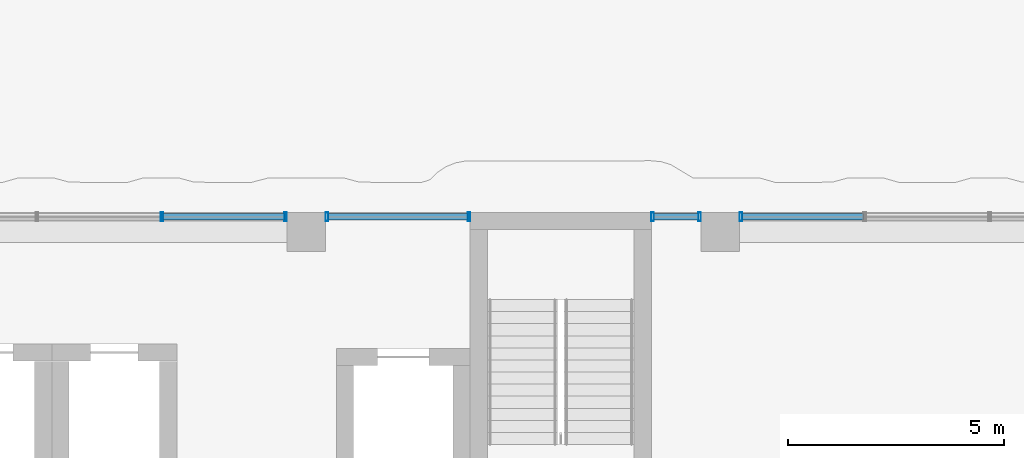
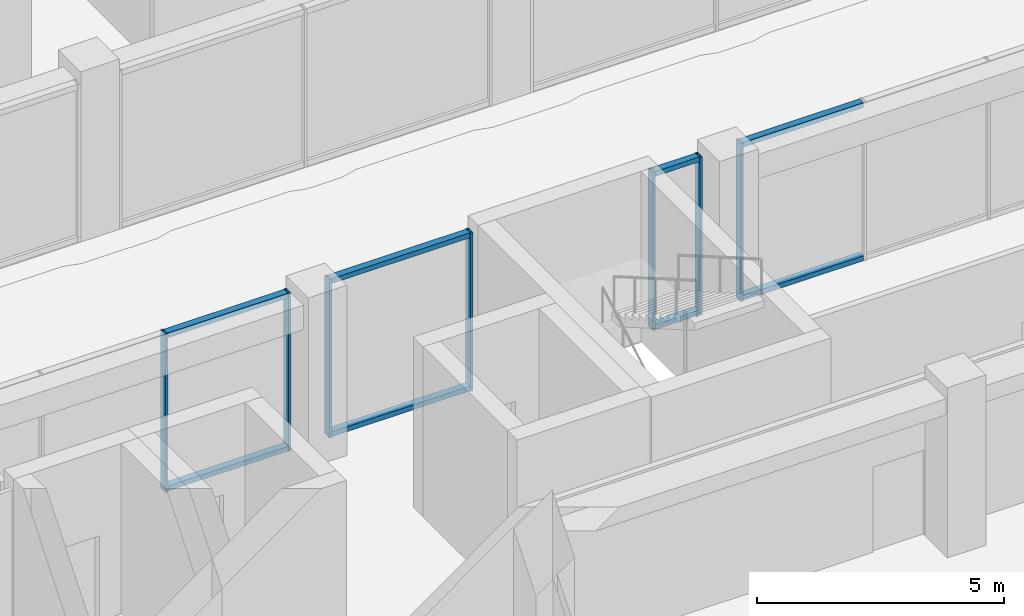
# One storey, part 9 of 72: 15 members, 4 elements without a shape of their own.
"""IFC4 building model written with IfcOpenShell, lengths in metres."""

from ifc_helpers import new_model, si_unit, direction, frame, origin, origin_2d, place, context, subcontext, project, spatial, hollow_rectangle, extrude, material, layer, layer_set, material_profile, profile_set, type_object, element, aggregate, save


model = new_model("IFC4")

# Units and contexts
model_context = context("Model", 3, precision=1e-05, world=origin(), true_north=direction((0.0, 1.0)))
body_context = subcontext(model_context, "Body", "Model", "MODEL_VIEW")
ifc_project = project(units=[si_unit("LENGTHUNIT", "METRE"), si_unit("AREAUNIT", "SQUARE_METRE"), si_unit("VOLUMEUNIT", "CUBIC_METRE"), si_unit("PLANEANGLEUNIT", "RADIAN"), si_unit("MASSUNIT", "GRAM", prefix="KILO")], contexts=[model_context])

# Site, building, storey
site_placement = place(None, origin())
site = spatial("IfcSite", under=ifc_project, at=site_placement, CompositionType="ELEMENT")
building_placement = place(site_placement, origin())
building = spatial("IfcBuilding", under=site, at=building_placement, Name="Nzadi Deep Aquarium and Research Tower", CompositionType="ELEMENT")
storey_placement = place(building_placement, frame((0.0, 0.0, 31.89990234375)))
storey = spatial("IfcBuildingStorey", under=building, at=storey_placement, Name="L05", CompositionType="ELEMENT", Elevation=31.89990234375)

# Curtain wall, members
ifc_material_1 = material(Name="Aluminium unitised frame", Category="aluminium")
ifc_layer = layer(ifc_material_1, 0.199951171875)
ifc_layer_set = layer_set([ifc_layer], Name="Aluminium unitised frame")
curtain_wall_type = type_object("IfcCurtainWallType", Name="Curtain wall Unitised 200", PredefinedType="NOTDEFINED", material=ifc_layer_set)
curtain_wall_1_placement = place(storey_placement, origin())
curtain_wall_1 = element("IfcCurtainWall", 1, at=curtain_wall_1_placement, inside=storey, type_object=curtain_wall_type, Name="Unitised curtain wall blade A north L05", PredefinedType="NOTDEFINED")
ifc_material_2 = material(Name="Aluminium unitised frame", Category="aluminium")
ifc_material_profile_1 = material_profile(ifc_material_2, hollow_rectangle(XDim=0.199951171875, YDim=0.06005859375, WallThickness=0.0048828125, at=origin_2d()))
ifc_profile_set_1 = profile_set([ifc_material_profile_1], Name="Aluminium unitised frame")
member_type_1 = type_object("IfcMemberType", Name="Mullion 60x200 Unitised", PredefinedType="MULLION", material=ifc_profile_set_1)
member_1_placement = place(storey_placement, frame((15.85009765625, 18.75, 0.0), z_axis=(0.0, 0.0, 1.0), x_axis=(0.0, 1.0, 0.0)))
member_1 = element("IfcMember", 2, at=member_1_placement, type_object=member_type_1, Name="CW003 mullion 3", PredefinedType="MULLION", context=body_context, shape_type="SweptSolid", body=[
    extrude(hollow_rectangle(XDim=0.199951171875, YDim=0.06005859375, WallThickness=0.0048828125, at=origin_2d()), origin(), (0.0, 0.0, 1.0), 3.900146484375),
])
member_2_placement = place(storey_placement, frame((18.719970703125, 18.75, 0.0), z_axis=(0.0, 0.0, 1.0), x_axis=(0.0, 1.0, 0.0)))
member_2 = element("IfcMember", 3, at=member_2_placement, type_object=member_type_1, Name="CW003 mullion 4", PredefinedType="MULLION", context=body_context, shape_type="SweptSolid", body=[
    extrude(hollow_rectangle(XDim=0.199951171875, YDim=0.06005859375, WallThickness=0.0048828125, at=origin_2d()), origin(), (0.0, 0.0, 1.0), 3.900146484375),
])

curtain_wall_2_placement = place(storey_placement, origin())
curtain_wall_2 = element("IfcCurtainWall", 4, at=curtain_wall_2_placement, inside=storey, type_object=curtain_wall_type, Name="Unitised curtain wall blade A north L05", PredefinedType="NOTDEFINED")
member_3_placement = place(storey_placement, frame((19.679931640625, 18.75, 0.0), z_axis=(0.0, 0.0, 1.0), x_axis=(0.0, 1.0, 0.0)))
member_3 = element("IfcMember", 5, at=member_3_placement, type_object=member_type_1, Name="CW004 mullion 1", PredefinedType="MULLION", context=body_context, shape_type="SweptSolid", body=[
    extrude(hollow_rectangle(XDim=0.199951171875, YDim=0.06005859375, WallThickness=0.0048828125, at=origin_2d()), origin(), (0.0, 0.0, 1.0), 3.900146484375),
])
member_4_placement = place(storey_placement, frame((22.969970703125, 18.75, 0.0), z_axis=(0.0, 0.0, 1.0), x_axis=(0.0, 1.0, 0.0)))
member_4 = element("IfcMember", 6, at=member_4_placement, type_object=member_type_1, Name="CW004 mullion 2", PredefinedType="MULLION", context=body_context, shape_type="SweptSolid", body=[
    extrude(hollow_rectangle(XDim=0.199951171875, YDim=0.06005859375, WallThickness=0.0048828125, at=origin_2d()), origin(), (0.0, 0.0, 1.0), 3.900146484375),
])

curtain_wall_3_placement = place(storey_placement, origin())
curtain_wall_3 = element("IfcCurtainWall", 7, at=curtain_wall_3_placement, inside=storey, type_object=curtain_wall_type, Name="Unitised curtain wall blade A north L05", PredefinedType="NOTDEFINED")
member_5_placement = place(storey_placement, frame((27.22998046875, 18.75, 0.0), z_axis=(0.0, 0.0, 1.0), x_axis=(0.0, 1.0, 0.0)))
member_5 = element("IfcMember", 8, at=member_5_placement, type_object=member_type_1, Name="CW005 mullion 1", PredefinedType="MULLION", context=body_context, shape_type="SweptSolid", body=[
    extrude(hollow_rectangle(XDim=0.199951171875, YDim=0.06005859375, WallThickness=0.0048828125, at=origin_2d()), origin(), (0.0, 0.0, 1.0), 3.900146484375),
])
member_6_placement = place(storey_placement, frame((28.320068359375, 18.75, 0.0), z_axis=(0.0, 0.0, 1.0), x_axis=(0.0, 1.0, 0.0)))
member_6 = element("IfcMember", 9, at=member_6_placement, type_object=member_type_1, Name="CW005 mullion 2", PredefinedType="MULLION", context=body_context, shape_type="SweptSolid", body=[
    extrude(hollow_rectangle(XDim=0.199951171875, YDim=0.06005859375, WallThickness=0.0048828125, at=origin_2d()), origin(), (0.0, 0.0, 1.0), 3.900146484375),
])

# Curtain wall, member
curtain_wall_4_placement = place(storey_placement, origin())
curtain_wall_4 = element("IfcCurtainWall", 10, at=curtain_wall_4_placement, inside=storey, type_object=curtain_wall_type, Name="Unitised curtain wall blade A north L05", PredefinedType="NOTDEFINED")
member_7_placement = place(storey_placement, frame((29.280029296875, 18.75, 0.0), z_axis=(0.0, 0.0, 1.0), x_axis=(0.0, 1.0, 0.0)))
member_7 = element("IfcMember", 11, at=member_7_placement, type_object=member_type_1, Name="CW006 mullion 1", PredefinedType="MULLION", context=body_context, shape_type="SweptSolid", body=[
    extrude(hollow_rectangle(XDim=0.199951171875, YDim=0.06005859375, WallThickness=0.0048828125, at=origin_2d()), origin(), (0.0, 0.0, 1.0), 3.900146484375),
])

# Member
ifc_material_3 = material(Name="Aluminium unitised frame", Category="aluminium")
ifc_material_profile_2 = material_profile(ifc_material_3, hollow_rectangle(XDim=0.159912109375, YDim=0.1201171875, WallThickness=0.0048828125, at=origin_2d()))
ifc_profile_set_2 = profile_set([ifc_material_profile_2], Name="Aluminium unitised frame")
member_type_2 = type_object("IfcMemberType", Name="Transom 120x160 Unitised", PredefinedType="MULLION", material=ifc_profile_set_2)
member_8_placement = place(storey_placement, frame((15.8798828125, 18.75, 0.06005859375), z_axis=(1.0, 0.0, 0.0), x_axis=(0.0, 1.0, 0.0)))
member_8 = element("IfcMember", 12, at=member_8_placement, type_object=member_type_2, Name="CW003 transom 3.1", PredefinedType="MULLION", context=body_context, shape_type="SweptSolid", body=[
    extrude(hollow_rectangle(XDim=0.159912109375, YDim=0.1201171875, WallThickness=0.0048828125, at=origin_2d()), origin(), (0.0, 0.0, 1.0), 2.81005859375),
])

member_9_placement = place(storey_placement, frame((15.8798828125, 18.75, 3.840087890625), z_axis=(1.0, 0.0, 0.0), x_axis=(0.0, 1.0, 0.0)))
member_9 = element("IfcMember", 13, at=member_9_placement, type_object=member_type_2, Name="CW003 transom 3.2", PredefinedType="MULLION", context=body_context, shape_type="SweptSolid", body=[
    extrude(hollow_rectangle(XDim=0.159912109375, YDim=0.1201171875, WallThickness=0.0048828125, at=origin_2d()), origin(), (0.0, 0.0, 1.0), 2.81005859375),
])

aggregate(curtain_wall_1, [member_1, member_2, member_8, member_9])

member_10_placement = place(storey_placement, frame((19.7099609375, 18.75, 0.06005859375), z_axis=(1.0, 0.0, 0.0), x_axis=(0.0, 1.0, 0.0)))
member_10 = element("IfcMember", 14, at=member_10_placement, type_object=member_type_2, Name="CW004 transom 1.1", PredefinedType="MULLION", context=body_context, shape_type="SweptSolid", body=[
    extrude(hollow_rectangle(XDim=0.159912109375, YDim=0.1201171875, WallThickness=0.0048828125, at=origin_2d()), origin(), (0.0, 0.0, 1.0), 3.22998046875),
])

member_11_placement = place(storey_placement, frame((19.7099609375, 18.75, 3.840087890625), z_axis=(1.0, 0.0, 0.0), x_axis=(0.0, 1.0, 0.0)))
member_11 = element("IfcMember", 15, at=member_11_placement, type_object=member_type_2, Name="CW004 transom 1.2", PredefinedType="MULLION", context=body_context, shape_type="SweptSolid", body=[
    extrude(hollow_rectangle(XDim=0.159912109375, YDim=0.1201171875, WallThickness=0.0048828125, at=origin_2d()), origin(), (0.0, 0.0, 1.0), 3.22998046875),
])

aggregate(curtain_wall_2, [member_3, member_4, member_10, member_11])

member_12_placement = place(storey_placement, frame((27.260009765625, 18.75, 0.06005859375), z_axis=(1.0, 0.0, 0.0), x_axis=(0.0, 1.0, 0.0)))
member_12 = element("IfcMember", 16, at=member_12_placement, type_object=member_type_2, Name="CW005 transom 1.1", PredefinedType="MULLION", context=body_context, shape_type="SweptSolid", body=[
    extrude(hollow_rectangle(XDim=0.159912109375, YDim=0.1201171875, WallThickness=0.0048828125, at=origin_2d()), origin(), (0.0, 0.0, 1.0), 1.030029296875),
])

member_13_placement = place(storey_placement, frame((27.260009765625, 18.75, 3.840087890625), z_axis=(1.0, 0.0, 0.0), x_axis=(0.0, 1.0, 0.0)))
member_13 = element("IfcMember", 17, at=member_13_placement, type_object=member_type_2, Name="CW005 transom 1.2", PredefinedType="MULLION", context=body_context, shape_type="SweptSolid", body=[
    extrude(hollow_rectangle(XDim=0.159912109375, YDim=0.1201171875, WallThickness=0.0048828125, at=origin_2d()), origin(), (0.0, 0.0, 1.0), 1.030029296875),
])

aggregate(curtain_wall_3, [member_5, member_6, member_12, member_13])

member_14_placement = place(storey_placement, frame((29.31005859375, 18.75, 0.06005859375), z_axis=(1.0, 0.0, 0.0), x_axis=(0.0, 1.0, 0.0)))
member_14 = element("IfcMember", 18, at=member_14_placement, type_object=member_type_2, Name="CW006 transom 1.1", PredefinedType="MULLION", context=body_context, shape_type="SweptSolid", body=[
    extrude(hollow_rectangle(XDim=0.159912109375, YDim=0.1201171875, WallThickness=0.0048828125, at=origin_2d()), origin(), (0.0, 0.0, 1.0), 2.81005859375),
])

member_15_placement = place(storey_placement, frame((29.31005859375, 18.75, 3.840087890625), z_axis=(1.0, 0.0, 0.0), x_axis=(0.0, 1.0, 0.0)))
member_15 = element("IfcMember", 19, at=member_15_placement, type_object=member_type_2, Name="CW006 transom 1.2", PredefinedType="MULLION", context=body_context, shape_type="SweptSolid", body=[
    extrude(hollow_rectangle(XDim=0.159912109375, YDim=0.1201171875, WallThickness=0.0048828125, at=origin_2d()), origin(), (0.0, 0.0, 1.0), 2.81005859375),
])

aggregate(curtain_wall_4, [member_7, member_14, member_15])

save(model, "model.ifc")
